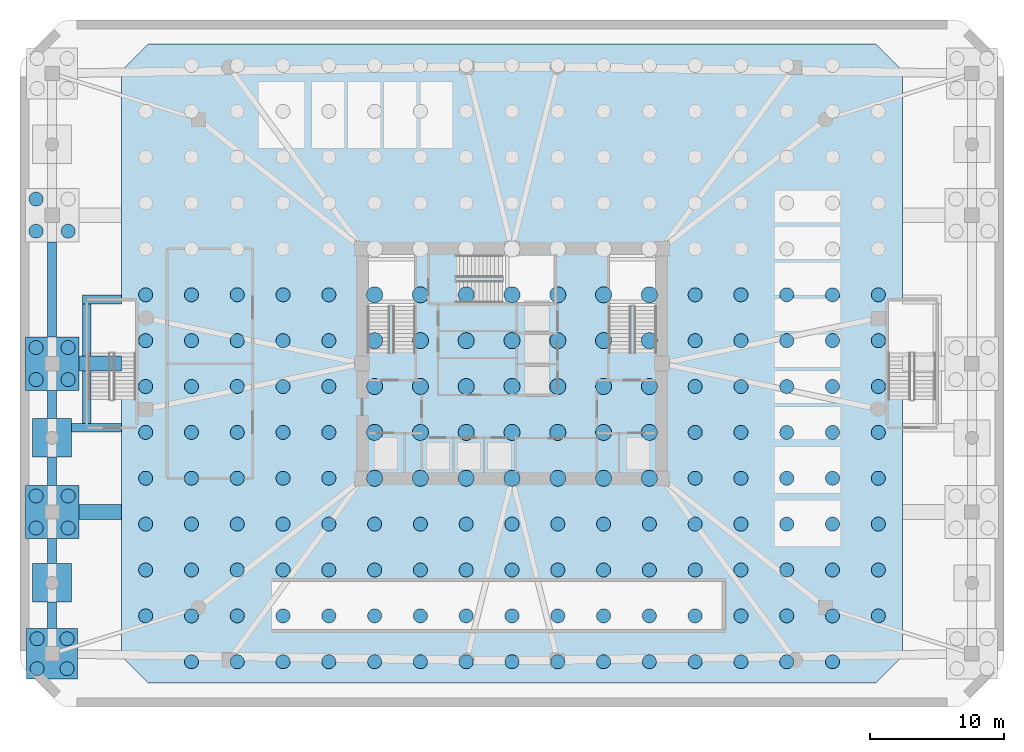
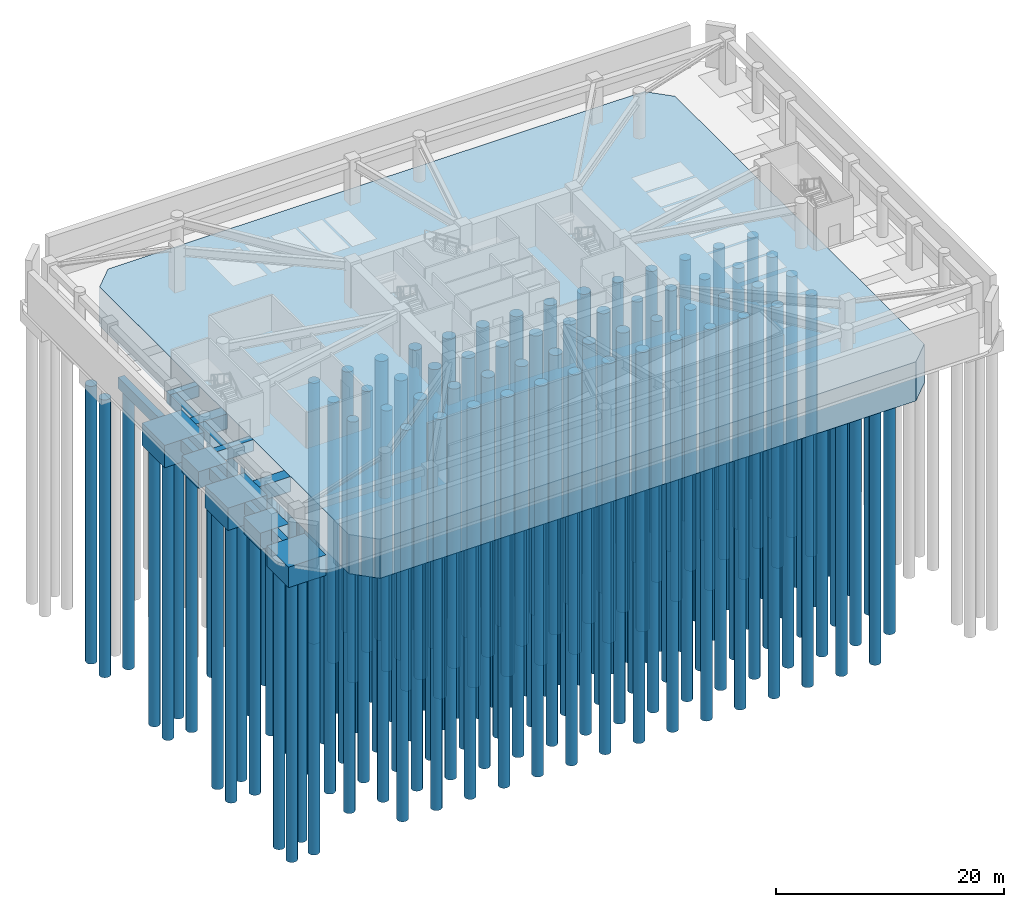
# One storey, part 1 of 11: 166 piles, 17 footings.
"""IFC4 building model written with IfcOpenShell, lengths in metres."""

from ifc_helpers import new_model, si_unit, derived_unit, direction, frame, origin, origin_2d, place, context, subcontext, project, spatial, polyline, rectangle, circle, outline, extrude, material, layer, layer_set, material_profile, profile_set, type_object, element, save


model = new_model("IFC4")

# Units and contexts
model_context = context("Model", 3, precision=1e-05, world=origin(), true_north=direction((0.0, 1.0)))
body_context = subcontext(model_context, "Body", "Model", "MODEL_VIEW")
ifc_project = project(units=[si_unit("LENGTHUNIT", "METRE"), si_unit("AREAUNIT", "SQUARE_METRE"), si_unit("VOLUMEUNIT", "CUBIC_METRE"), si_unit("PLANEANGLEUNIT", "RADIAN"), si_unit("MASSUNIT", "GRAM", prefix="KILO"), derived_unit("THERMALTRANSMITTANCEUNIT", [(si_unit("POWERUNIT", "WATT"), 1), (si_unit("LENGTHUNIT", "METRE"), -2), (si_unit("THERMODYNAMICTEMPERATUREUNIT", "KELVIN"), -1)])], contexts=[model_context])

# Site, building, storey
site_placement = place(None, origin())
site = spatial("IfcSite", under=ifc_project, at=site_placement, CompositionType="ELEMENT")
building_placement = place(site_placement, origin())
building = spatial("IfcBuilding", under=site, at=building_placement, Name="Koralith Skygarden Medical Center", CompositionType="ELEMENT")
storey_placement = place(building_placement, frame((0.0, 0.0, -9.719970703125)))
storey = spatial("IfcBuildingStorey", under=building, at=storey_placement, Name="B2", CompositionType="ELEMENT", Elevation=-9.719970703125)

# Footings
ifc_material_1 = material(Name="Concrete C55/67", Category="concrete")
ifc_material_profile_1 = material_profile(ifc_material_1, rectangle(XDim=0.64990234375, YDim=1.199951171875, at=origin_2d()), Name="SF650X1200")
ifc_profile_set_1 = profile_set([ifc_material_profile_1], Name="Concrete C55/67")
footing_type_1 = type_object("IfcFootingType", Name="Perimeter Strip Footing 650x1200", PredefinedType="STRIP_FOOTING", material=ifc_profile_set_1)
footing_1_placement = place(storey_placement, frame((2.60009765625, 6.10009765625, -0.60009765625), z_axis=(0.0, 1.0, 0.0), x_axis=(-1.0, 0.0, 0.0)))
element("IfcFooting", 1, at=footing_1_placement, inside=storey, type_object=footing_type_1, Name="Perimeter Foundation Strip SF-1-01", PredefinedType="STRIP_FOOTING", context=body_context, shape_type="SweptSolid", body=[
    extrude(rectangle(XDim=0.64990234375, YDim=1.199951171875, at=origin_2d()), origin(), (0.0, 0.0, 1.0), 1.949951171875),
])
footing_2_placement = place(storey_placement, frame((2.60009765625, 10.949951171875, -0.60009765625), z_axis=(0.0, 1.0, 0.0), x_axis=(-1.0, 0.0, 0.0)))
element("IfcFooting", 2, at=footing_2_placement, inside=storey, type_object=footing_type_1, Name="Perimeter Foundation Strip SF-1-02", PredefinedType="STRIP_FOOTING", context=body_context, shape_type="SweptSolid", body=[
    extrude(rectangle(XDim=0.64990234375, YDim=1.199951171875, at=origin_2d()), origin(), (0.0, 0.0, 1.0), 1.85009765625),
])
for number, where, z_axis, x_axis, name in (
    (3, (2.60009765625, 16.800048828125, -0.60009765625), (0.0, 1.0, 0.0), (-1.0, 0.0, 0.0), "Perimeter Foundation Strip SF-1-03"),
    (4, (2.60009765625, 21.800048828125, -0.60009765625), (0.0, 1.0, 0.0), (-1.0, 0.0, 0.0), "Perimeter Foundation Strip SF-1-04"),
):
    element("IfcFooting", number, at=place(storey_placement, frame(where, z_axis=z_axis, x_axis=x_axis)), inside=storey, type_object=footing_type_1, Name=name, PredefinedType="STRIP_FOOTING", context=body_context, shape_type="SweptSolid", body=[
        extrude(rectangle(XDim=0.64990234375, YDim=1.199951171875, at=origin_2d()), origin(), (0.0, 0.0, 1.0), 2.099853515625),
    ])
footing_3_placement = place(storey_placement, frame((2.60009765625, 27.89990234375, -0.60009765625), z_axis=(0.0, 1.0, 0.0), x_axis=(-1.0, 0.0, 0.0)))
element("IfcFooting", 5, at=footing_3_placement, inside=storey, type_object=footing_type_1, Name="Perimeter Foundation Strip SF-1-05", PredefinedType="STRIP_FOOTING", context=body_context, shape_type="SweptSolid", body=[
    extrude(rectangle(XDim=0.64990234375, YDim=1.199951171875, at=origin_2d()), origin(), (0.0, 0.0, 1.0), 7.10009765625),
])
footing_4_placement = place(storey_placement, frame((4.050048828125, 21.10009765625, -0.60009765625), z_axis=(1.0, 0.0, 0.0), x_axis=(0.0, 1.0, 0.0)))
element("IfcFooting", 6, at=footing_4_placement, inside=storey, type_object=footing_type_1, Name="Stair ST4 Foundation Strip S", PredefinedType="STRIP_FOOTING", context=body_context, shape_type="SweptSolid", body=[
    extrude(rectangle(XDim=0.64990234375, YDim=1.199951171875, at=origin_2d()), origin(), (0.0, 0.0, 1.0), 3.75),
])
footing_5_placement = place(storey_placement, frame((4.875, 30.699951171875, -0.60009765625), z_axis=(1.0, 0.0, 0.0), x_axis=(0.0, 1.0, 0.0)))
element("IfcFooting", 7, at=footing_5_placement, inside=storey, type_object=footing_type_1, Name="Stair ST4 Foundation Strip N", PredefinedType="STRIP_FOOTING", context=body_context, shape_type="SweptSolid", body=[
    extrude(rectangle(XDim=0.64990234375, YDim=1.199951171875, at=origin_2d()), origin(), (0.0, 0.0, 1.0), 2.925048828125),
])
for number, where, z_axis, x_axis, name in (
    (8, (5.199951171875, 21.425048828125, -0.60009765625), (0.0, 1.0, 0.0), (-1.0, 0.0, 0.0), "Stair ST4 Foundation Strip WS"),
    (9, (5.199951171875, 26.449951171875, -0.60009765625), (0.0, 1.0, 0.0), (-1.0, 0.0, 0.0), "Stair ST4 Foundation Strip WN"),
):
    element("IfcFooting", number, at=place(storey_placement, frame(where, z_axis=z_axis, x_axis=x_axis)), inside=storey, type_object=footing_type_1, Name=name, PredefinedType="STRIP_FOOTING", context=body_context, shape_type="SweptSolid", body=[
        extrude(rectangle(XDim=0.64990234375, YDim=1.199951171875, at=origin_2d()), origin(), (0.0, 0.0, 1.0), 3.925048828125),
    ])
ifc_layer_1 = layer(ifc_material_1, 2.199951171875)
ifc_layer_set_1 = layer_set([ifc_layer_1], Name="Concrete C55/67")
footing_type_2 = type_object("IfcFootingType", Name="Podium Corner Pile Cap 2200", PredefinedType="PILE_CAP", material=ifc_layer_set_1)
footing_6_placement = place(storey_placement, frame((0.0, 0.0, -2.199951171875)))
element("IfcFooting", 10, at=footing_6_placement, inside=storey, type_object=footing_type_2, Name="Podium Pile Cap PC-01", PredefinedType="PILE_CAP", context=body_context, shape_type="SweptSolid", body=[
    extrude(outline(polyline([(0.699951171875, 2.300048828125), (4.5, 2.300048828125), (4.5, 6.10009765625), (0.699951171875, 6.10009765625), (0.699951171875, 2.300048828125)])), origin(), (0.0, 0.0, 1.0), 2.199951171875),
])
ifc_layer_2 = layer(ifc_material_1, 2.39990234375)
ifc_layer_set_2 = layer_set([ifc_layer_2], Name="Concrete C55/67")
footing_type_3 = type_object("IfcFootingType", Name="Podium Pile Cap 2400", PredefinedType="PILE_CAP", material=ifc_layer_set_2)
footing_7_placement = place(storey_placement, frame((0.0, 0.0, -2.400146484375)))
element("IfcFooting", 11, at=footing_7_placement, inside=storey, type_object=footing_type_3, Name="Podium Pile Cap PC-02", PredefinedType="PILE_CAP", context=body_context, shape_type="SweptSolid", body=[
    extrude(outline(polyline([(0.60009765625, 12.800048828125), (4.60009765625, 12.800048828125), (4.60009765625, 16.800048828125), (0.60009765625, 16.800048828125), (0.60009765625, 12.800048828125)])), origin(), (0.0, 0.0, 1.0), 2.400146484375),
])
footing_8_placement = place(storey_placement, frame((0.0, 0.0, -2.400146484375)))
element("IfcFooting", 12, at=footing_8_placement, inside=storey, type_object=footing_type_3, Name="Podium Pile Cap PC-03", PredefinedType="PILE_CAP", context=body_context, shape_type="SweptSolid", body=[
    extrude(outline(polyline([(0.60009765625, 23.89990234375), (4.60009765625, 23.89990234375), (4.60009765625, 27.89990234375), (0.60009765625, 27.89990234375), (0.60009765625, 23.89990234375)])), origin(), (0.0, 0.0, 1.0), 2.400146484375),
])
ifc_material_profile_2 = material_profile(ifc_material_1, rectangle(XDim=1.10009765625, YDim=1.60009765625, at=origin_2d()), Name="RCB1100X1600")
ifc_profile_set_2 = profile_set([ifc_material_profile_2], Name="Concrete C55/67")
footing_type_4 = type_object("IfcFootingType", Name="Primary Foundation Grade Beam 1200x1600", PredefinedType="FOOTING_BEAM", material=ifc_profile_set_2)
for number, where, z_axis, x_axis, name in (
    (13, (4.60009765625, 14.800048828125, -0.800048828125), (1.0, 0.0, 0.0), (0.0, 1.0, 0.0), "Foundation Tie Grade Beam GB-02"),
    (14, (4.60009765625, 25.89990234375, -0.800048828125), (1.0, 0.0, 0.0), (0.0, 1.0, 0.0), "Foundation Tie Grade Beam GB-03"),
):
    element("IfcFooting", number, at=place(storey_placement, frame(where, z_axis=z_axis, x_axis=x_axis)), inside=storey, type_object=footing_type_4, Name=name, PredefinedType="FOOTING_BEAM", context=body_context, shape_type="SweptSolid", body=[
        extrude(rectangle(XDim=1.10009765625, YDim=1.60009765625, at=origin_2d()), origin(), (0.0, 0.0, 1.0), 3.199951171875),
    ])

# Piles
ifc_material_2 = material(Name="Concrete C45/55", Category="concrete")
ifc_material_profile_3 = material_profile(ifc_material_2, circle(Radius=0.52490234375, at=origin_2d()), Name="PILE1050")
ifc_profile_set_3 = profile_set([ifc_material_profile_3], Name="Concrete C45/55")
pile_type_1 = type_object("IfcPileType", Name="Rock-Socketed Bored Pile 1050", PredefinedType="BORED", material=ifc_profile_set_3)
for number, where, z_axis, x_axis, name in (
    (15, (1.47998046875, 3.080078125, -2.050048828125), (0.0, 0.0, -1.0), (1.0, 0.0, 0.0), "Bored Pile P1-PC01-1"),
    (16, (1.47998046875, 5.320068359375, -2.050048828125), (0.0, 0.0, -1.0), (1.0, 0.0, 0.0), "Bored Pile P1-PC01-2"),
    (17, (3.719970703125, 3.080078125, -2.050048828125), (0.0, 0.0, -1.0), (1.0, 0.0, 0.0), "Bored Pile P1-PC01-3"),
    (18, (3.719970703125, 5.320068359375, -2.050048828125), (0.0, 0.0, -1.0), (1.0, 0.0, 0.0), "Bored Pile P1-PC01-4"),
):
    element("IfcPile", number, at=place(storey_placement, frame(where, z_axis=z_axis, x_axis=x_axis)), inside=storey, type_object=pile_type_1, Name=name, PredefinedType="BORED", context=body_context, shape_type="SweptSolid", body=[
        extrude(circle(Radius=0.52490234375, at=origin_2d()), origin(), (0.0, 0.0, 1.0), 30.0),
    ])
for number, where, z_axis, x_axis, name in (
    (19, (1.39990234375, 13.60009765625, -2.25), (0.0, 0.0, -1.0), (1.0, 0.0, 0.0), "Bored Pile P1-PC02-1"),
    (20, (1.39990234375, 16.0, -2.25), (0.0, 0.0, -1.0), (1.0, 0.0, 0.0), "Bored Pile P1-PC02-2"),
    (21, (3.800048828125, 13.60009765625, -2.25), (0.0, 0.0, -1.0), (1.0, 0.0, 0.0), "Bored Pile P1-PC02-3"),
    (22, (3.800048828125, 16.0, -2.25), (0.0, 0.0, -1.0), (1.0, 0.0, 0.0), "Bored Pile P1-PC02-4"),
    (23, (1.39990234375, 24.699951171875, -2.25), (0.0, 0.0, -1.0), (1.0, 0.0, 0.0), "Bored Pile P1-PC03-1"),
    (24, (1.39990234375, 27.10009765625, -2.25), (0.0, 0.0, -1.0), (1.0, 0.0, 0.0), "Bored Pile P1-PC03-2"),
    (25, (3.800048828125, 24.699951171875, -2.25), (0.0, 0.0, -1.0), (1.0, 0.0, 0.0), "Bored Pile P1-PC03-3"),
    (26, (3.800048828125, 27.10009765625, -2.25), (0.0, 0.0, -1.0), (1.0, 0.0, 0.0), "Bored Pile P1-PC03-4"),
    (27, (1.39990234375, 35.800048828125, -2.25), (0.0, 0.0, -1.0), (1.0, 0.0, 0.0), "Bored Pile P1-PC04-1"),
    (28, (1.39990234375, 38.199951171875, -2.25), (0.0, 0.0, -1.0), (1.0, 0.0, 0.0), "Bored Pile P1-PC04-2"),
    (29, (3.800048828125, 35.800048828125, -2.25), (0.0, 0.0, -1.0), (1.0, 0.0, 0.0), "Bored Pile P1-PC04-3"),
):
    element("IfcPile", number, at=place(storey_placement, frame(where, z_axis=z_axis, x_axis=x_axis)), inside=storey, type_object=pile_type_1, Name=name, PredefinedType="BORED", context=body_context, shape_type="SweptSolid", body=[
        extrude(circle(Radius=0.52490234375, at=origin_2d()), origin(), (0.0, 0.0, 1.0), 29.800048828125),
    ])
for number, where, z_axis, x_axis, name in (
    (30, (9.60009765625, 7.031005859375, -4.050048828125), (0.0, 0.0, -1.0), (1.0, 0.0, 0.0), "Mat Bored Pile P1-001"),
    (31, (9.60009765625, 10.4619140625, -4.050048828125), (0.0, 0.0, -1.0), (1.0, 0.0, 0.0), "Mat Bored Pile P1-002"),
    (32, (9.60009765625, 13.89208984375, -4.050048828125), (0.0, 0.0, -1.0), (1.0, 0.0, 0.0), "Mat Bored Pile P1-003"),
    (33, (9.60009765625, 17.322998046875, -4.050048828125), (0.0, 0.0, -1.0), (1.0, 0.0, 0.0), "Mat Bored Pile P1-004"),
    (34, (9.60009765625, 20.75390625, -4.050048828125), (0.0, 0.0, -1.0), (1.0, 0.0, 0.0), "Mat Bored Pile P1-005"),
    (35, (9.60009765625, 24.18505859375, -4.050048828125), (0.0, 0.0, -1.0), (1.0, 0.0, 0.0), "Mat Bored Pile P1-006"),
    (36, (9.60009765625, 27.614990234375, -4.050048828125), (0.0, 0.0, -1.0), (1.0, 0.0, 0.0), "Mat Bored Pile P1-007"),
    (37, (9.60009765625, 31.0458984375, -4.050048828125), (0.0, 0.0, -1.0), (1.0, 0.0, 0.0), "Mat Bored Pile P1-008"),
    (38, (13.02490234375, 3.60009765625, -4.050048828125), (0.0, 0.0, -1.0), (1.0, 0.0, 0.0), "Mat Bored Pile P1-013"),
    (39, (13.02490234375, 7.031005859375, -4.050048828125), (0.0, 0.0, -1.0), (1.0, 0.0, 0.0), "Mat Bored Pile P1-014"),
    (40, (13.02490234375, 10.4619140625, -4.050048828125), (0.0, 0.0, -1.0), (1.0, 0.0, 0.0), "Mat Bored Pile P1-015"),
    (41, (13.02490234375, 13.89208984375, -4.050048828125), (0.0, 0.0, -1.0), (1.0, 0.0, 0.0), "Mat Bored Pile P1-016"),
    (42, (13.02490234375, 17.322998046875, -4.050048828125), (0.0, 0.0, -1.0), (1.0, 0.0, 0.0), "Mat Bored Pile P1-017"),
    (43, (13.02490234375, 20.75390625, -4.050048828125), (0.0, 0.0, -1.0), (1.0, 0.0, 0.0), "Mat Bored Pile P1-018"),
    (44, (13.02490234375, 24.18505859375, -4.050048828125), (0.0, 0.0, -1.0), (1.0, 0.0, 0.0), "Mat Bored Pile P1-019"),
    (45, (13.02490234375, 27.614990234375, -4.050048828125), (0.0, 0.0, -1.0), (1.0, 0.0, 0.0), "Mat Bored Pile P1-020"),
    (46, (13.02490234375, 31.0458984375, -4.050048828125), (0.0, 0.0, -1.0), (1.0, 0.0, 0.0), "Mat Bored Pile P1-021"),
    (47, (16.449951171875, 3.60009765625, -4.050048828125), (0.0, 0.0, -1.0), (1.0, 0.0, 0.0), "Mat Bored Pile P1-027"),
    (48, (16.449951171875, 7.031005859375, -4.050048828125), (0.0, 0.0, -1.0), (1.0, 0.0, 0.0), "Mat Bored Pile P1-028"),
    (49, (16.449951171875, 10.4619140625, -4.050048828125), (0.0, 0.0, -1.0), (1.0, 0.0, 0.0), "Mat Bored Pile P1-029"),
    (50, (16.449951171875, 13.89208984375, -4.050048828125), (0.0, 0.0, -1.0), (1.0, 0.0, 0.0), "Mat Bored Pile P1-030"),
    (51, (16.449951171875, 17.322998046875, -4.050048828125), (0.0, 0.0, -1.0), (1.0, 0.0, 0.0), "Mat Bored Pile P1-031"),
    (52, (16.449951171875, 20.75390625, -4.050048828125), (0.0, 0.0, -1.0), (1.0, 0.0, 0.0), "Mat Bored Pile P1-032"),
    (53, (16.449951171875, 24.18505859375, -4.050048828125), (0.0, 0.0, -1.0), (1.0, 0.0, 0.0), "Mat Bored Pile P1-033"),
    (54, (16.449951171875, 27.614990234375, -4.050048828125), (0.0, 0.0, -1.0), (1.0, 0.0, 0.0), "Mat Bored Pile P1-034"),
    (55, (16.449951171875, 31.0458984375, -4.050048828125), (0.0, 0.0, -1.0), (1.0, 0.0, 0.0), "Mat Bored Pile P1-035"),
    (56, (19.875, 3.60009765625, -4.050048828125), (0.0, 0.0, -1.0), (1.0, 0.0, 0.0), "Mat Bored Pile P1-041"),
    (57, (19.875, 7.031005859375, -4.050048828125), (0.0, 0.0, -1.0), (1.0, 0.0, 0.0), "Mat Bored Pile P1-042"),
    (58, (19.875, 10.4619140625, -4.050048828125), (0.0, 0.0, -1.0), (1.0, 0.0, 0.0), "Mat Bored Pile P1-043"),
    (59, (19.875, 13.89208984375, -4.050048828125), (0.0, 0.0, -1.0), (1.0, 0.0, 0.0), "Mat Bored Pile P1-044"),
    (60, (19.875, 17.322998046875, -4.050048828125), (0.0, 0.0, -1.0), (1.0, 0.0, 0.0), "Mat Bored Pile P1-045"),
    (61, (19.875, 20.75390625, -4.050048828125), (0.0, 0.0, -1.0), (1.0, 0.0, 0.0), "Mat Bored Pile P1-046"),
    (62, (19.875, 24.18505859375, -4.050048828125), (0.0, 0.0, -1.0), (1.0, 0.0, 0.0), "Mat Bored Pile P1-047"),
    (63, (19.875, 27.614990234375, -4.050048828125), (0.0, 0.0, -1.0), (1.0, 0.0, 0.0), "Mat Bored Pile P1-048"),
    (64, (19.875, 31.0458984375, -4.050048828125), (0.0, 0.0, -1.0), (1.0, 0.0, 0.0), "Mat Bored Pile P1-049"),
    (65, (23.300048828125, 3.60009765625, -4.050048828125), (0.0, 0.0, -1.0), (1.0, 0.0, 0.0), "Mat Bored Pile P1-055"),
    (66, (23.300048828125, 7.031005859375, -4.050048828125), (0.0, 0.0, -1.0), (1.0, 0.0, 0.0), "Mat Bored Pile P1-056"),
    (67, (23.300048828125, 10.4619140625, -4.050048828125), (0.0, 0.0, -1.0), (1.0, 0.0, 0.0), "Mat Bored Pile P1-057"),
    (68, (23.300048828125, 13.89208984375, -4.050048828125), (0.0, 0.0, -1.0), (1.0, 0.0, 0.0), "Mat Bored Pile P1-058"),
    (69, (23.300048828125, 17.322998046875, -4.050048828125), (0.0, 0.0, -1.0), (1.0, 0.0, 0.0), "Mat Bored Pile P1-059"),
    (70, (23.300048828125, 20.75390625, -4.050048828125), (0.0, 0.0, -1.0), (1.0, 0.0, 0.0), "Mat Bored Pile P1-060"),
    (71, (23.300048828125, 24.18505859375, -4.050048828125), (0.0, 0.0, -1.0), (1.0, 0.0, 0.0), "Mat Bored Pile P1-061"),
    (72, (23.300048828125, 27.614990234375, -4.050048828125), (0.0, 0.0, -1.0), (1.0, 0.0, 0.0), "Mat Bored Pile P1-062"),
    (73, (23.300048828125, 31.0458984375, -4.050048828125), (0.0, 0.0, -1.0), (1.0, 0.0, 0.0), "Mat Bored Pile P1-063"),
    (74, (26.72509765625, 3.60009765625, -4.050048828125), (0.0, 0.0, -1.0), (1.0, 0.0, 0.0), "Mat Bored Pile P1-069"),
    (75, (26.72509765625, 7.031005859375, -4.050048828125), (0.0, 0.0, -1.0), (1.0, 0.0, 0.0), "Mat Bored Pile P1-070"),
    (76, (26.72509765625, 10.4619140625, -4.050048828125), (0.0, 0.0, -1.0), (1.0, 0.0, 0.0), "Mat Bored Pile P1-071"),
    (77, (26.72509765625, 13.89208984375, -4.050048828125), (0.0, 0.0, -1.0), (1.0, 0.0, 0.0), "Mat Bored Pile P1-072"),
    (78, (30.14990234375, 3.60009765625, -4.050048828125), (0.0, 0.0, -1.0), (1.0, 0.0, 0.0), "Mat Bored Pile P1-083"),
    (79, (30.14990234375, 7.031005859375, -4.050048828125), (0.0, 0.0, -1.0), (1.0, 0.0, 0.0), "Mat Bored Pile P1-084"),
    (80, (30.14990234375, 10.4619140625, -4.050048828125), (0.0, 0.0, -1.0), (1.0, 0.0, 0.0), "Mat Bored Pile P1-085"),
    (81, (30.14990234375, 13.89208984375, -4.050048828125), (0.0, 0.0, -1.0), (1.0, 0.0, 0.0), "Mat Bored Pile P1-086"),
    (82, (33.574951171875, 3.60009765625, -4.050048828125), (0.0, 0.0, -1.0), (1.0, 0.0, 0.0), "Mat Bored Pile P1-097"),
    (83, (33.574951171875, 7.031005859375, -4.050048828125), (0.0, 0.0, -1.0), (1.0, 0.0, 0.0), "Mat Bored Pile P1-098"),
    (84, (33.574951171875, 10.4619140625, -4.050048828125), (0.0, 0.0, -1.0), (1.0, 0.0, 0.0), "Mat Bored Pile P1-099"),
    (85, (33.574951171875, 13.89208984375, -4.050048828125), (0.0, 0.0, -1.0), (1.0, 0.0, 0.0), "Mat Bored Pile P1-100"),
    (86, (37.0, 3.60009765625, -4.050048828125), (0.0, 0.0, -1.0), (1.0, 0.0, 0.0), "Mat Bored Pile P1-111"),
    (87, (37.0, 7.031005859375, -4.050048828125), (0.0, 0.0, -1.0), (1.0, 0.0, 0.0), "Mat Bored Pile P1-112"),
    (88, (37.0, 10.4619140625, -4.050048828125), (0.0, 0.0, -1.0), (1.0, 0.0, 0.0), "Mat Bored Pile P1-113"),
    (89, (37.0, 13.89208984375, -4.050048828125), (0.0, 0.0, -1.0), (1.0, 0.0, 0.0), "Mat Bored Pile P1-114"),
    (90, (40.425048828125, 3.60009765625, -4.050048828125), (0.0, 0.0, -1.0), (1.0, 0.0, 0.0), "Mat Bored Pile P1-125"),
    (91, (40.425048828125, 7.031005859375, -4.050048828125), (0.0, 0.0, -1.0), (1.0, 0.0, 0.0), "Mat Bored Pile P1-126"),
    (92, (40.425048828125, 10.4619140625, -4.050048828125), (0.0, 0.0, -1.0), (1.0, 0.0, 0.0), "Mat Bored Pile P1-127"),
    (93, (40.425048828125, 13.89208984375, -4.050048828125), (0.0, 0.0, -1.0), (1.0, 0.0, 0.0), "Mat Bored Pile P1-128"),
    (94, (43.85009765625, 3.60009765625, -4.050048828125), (0.0, 0.0, -1.0), (1.0, 0.0, 0.0), "Mat Bored Pile P1-139"),
    (95, (43.85009765625, 7.031005859375, -4.050048828125), (0.0, 0.0, -1.0), (1.0, 0.0, 0.0), "Mat Bored Pile P1-140"),
    (96, (43.85009765625, 10.4619140625, -4.050048828125), (0.0, 0.0, -1.0), (1.0, 0.0, 0.0), "Mat Bored Pile P1-141"),
    (97, (43.85009765625, 13.89208984375, -4.050048828125), (0.0, 0.0, -1.0), (1.0, 0.0, 0.0), "Mat Bored Pile P1-142"),
    (98, (47.27490234375, 3.60009765625, -4.050048828125), (0.0, 0.0, -1.0), (1.0, 0.0, 0.0), "Mat Bored Pile P1-153"),
    (99, (47.27490234375, 7.031005859375, -4.050048828125), (0.0, 0.0, -1.0), (1.0, 0.0, 0.0), "Mat Bored Pile P1-154"),
    (100, (47.27490234375, 10.4619140625, -4.050048828125), (0.0, 0.0, -1.0), (1.0, 0.0, 0.0), "Mat Bored Pile P1-155"),
    (101, (47.27490234375, 13.89208984375, -4.050048828125), (0.0, 0.0, -1.0), (1.0, 0.0, 0.0), "Mat Bored Pile P1-156"),
    (102, (50.699951171875, 3.60009765625, -4.050048828125), (0.0, 0.0, -1.0), (1.0, 0.0, 0.0), "Mat Bored Pile P1-167"),
    (103, (50.699951171875, 7.031005859375, -4.050048828125), (0.0, 0.0, -1.0), (1.0, 0.0, 0.0), "Mat Bored Pile P1-168"),
    (104, (50.699951171875, 10.4619140625, -4.050048828125), (0.0, 0.0, -1.0), (1.0, 0.0, 0.0), "Mat Bored Pile P1-169"),
    (105, (50.699951171875, 13.89208984375, -4.050048828125), (0.0, 0.0, -1.0), (1.0, 0.0, 0.0), "Mat Bored Pile P1-170"),
    (106, (50.699951171875, 17.322998046875, -4.050048828125), (0.0, 0.0, -1.0), (1.0, 0.0, 0.0), "Mat Bored Pile P1-171"),
    (107, (50.699951171875, 20.75390625, -4.050048828125), (0.0, 0.0, -1.0), (1.0, 0.0, 0.0), "Mat Bored Pile P1-172"),
    (108, (50.699951171875, 24.18505859375, -4.050048828125), (0.0, 0.0, -1.0), (1.0, 0.0, 0.0), "Mat Bored Pile P1-173"),
    (109, (50.699951171875, 27.614990234375, -4.050048828125), (0.0, 0.0, -1.0), (1.0, 0.0, 0.0), "Mat Bored Pile P1-174"),
    (110, (50.699951171875, 31.0458984375, -4.050048828125), (0.0, 0.0, -1.0), (1.0, 0.0, 0.0), "Mat Bored Pile P1-175"),
    (111, (54.125, 3.60009765625, -4.050048828125), (0.0, 0.0, -1.0), (1.0, 0.0, 0.0), "Mat Bored Pile P1-181"),
    (112, (54.125, 7.031005859375, -4.050048828125), (0.0, 0.0, -1.0), (1.0, 0.0, 0.0), "Mat Bored Pile P1-182"),
    (113, (54.125, 10.4619140625, -4.050048828125), (0.0, 0.0, -1.0), (1.0, 0.0, 0.0), "Mat Bored Pile P1-183"),
    (114, (54.125, 13.89208984375, -4.050048828125), (0.0, 0.0, -1.0), (1.0, 0.0, 0.0), "Mat Bored Pile P1-184"),
    (115, (54.125, 17.322998046875, -4.050048828125), (0.0, 0.0, -1.0), (1.0, 0.0, 0.0), "Mat Bored Pile P1-185"),
    (116, (54.125, 20.75390625, -4.050048828125), (0.0, 0.0, -1.0), (1.0, 0.0, 0.0), "Mat Bored Pile P1-186"),
    (117, (54.125, 24.18505859375, -4.050048828125), (0.0, 0.0, -1.0), (1.0, 0.0, 0.0), "Mat Bored Pile P1-187"),
    (118, (54.125, 27.614990234375, -4.050048828125), (0.0, 0.0, -1.0), (1.0, 0.0, 0.0), "Mat Bored Pile P1-188"),
    (119, (54.125, 31.0458984375, -4.050048828125), (0.0, 0.0, -1.0), (1.0, 0.0, 0.0), "Mat Bored Pile P1-189"),
    (120, (57.550048828125, 3.60009765625, -4.050048828125), (0.0, 0.0, -1.0), (1.0, 0.0, 0.0), "Mat Bored Pile P1-195"),
    (121, (57.550048828125, 7.031005859375, -4.050048828125), (0.0, 0.0, -1.0), (1.0, 0.0, 0.0), "Mat Bored Pile P1-196"),
    (122, (57.550048828125, 10.4619140625, -4.050048828125), (0.0, 0.0, -1.0), (1.0, 0.0, 0.0), "Mat Bored Pile P1-197"),
    (123, (57.550048828125, 13.89208984375, -4.050048828125), (0.0, 0.0, -1.0), (1.0, 0.0, 0.0), "Mat Bored Pile P1-198"),
    (124, (57.550048828125, 17.322998046875, -4.050048828125), (0.0, 0.0, -1.0), (1.0, 0.0, 0.0), "Mat Bored Pile P1-199"),
    (125, (57.550048828125, 20.75390625, -4.050048828125), (0.0, 0.0, -1.0), (1.0, 0.0, 0.0), "Mat Bored Pile P1-200"),
    (126, (57.550048828125, 24.18505859375, -4.050048828125), (0.0, 0.0, -1.0), (1.0, 0.0, 0.0), "Mat Bored Pile P1-201"),
    (127, (57.550048828125, 27.614990234375, -4.050048828125), (0.0, 0.0, -1.0), (1.0, 0.0, 0.0), "Mat Bored Pile P1-202"),
    (128, (57.550048828125, 31.0458984375, -4.050048828125), (0.0, 0.0, -1.0), (1.0, 0.0, 0.0), "Mat Bored Pile P1-203"),
    (129, (60.97509765625, 3.60009765625, -4.050048828125), (0.0, 0.0, -1.0), (1.0, 0.0, 0.0), "Mat Bored Pile P1-209"),
    (130, (60.97509765625, 7.031005859375, -4.050048828125), (0.0, 0.0, -1.0), (1.0, 0.0, 0.0), "Mat Bored Pile P1-210"),
    (131, (60.97509765625, 10.4619140625, -4.050048828125), (0.0, 0.0, -1.0), (1.0, 0.0, 0.0), "Mat Bored Pile P1-211"),
    (132, (60.97509765625, 13.89208984375, -4.050048828125), (0.0, 0.0, -1.0), (1.0, 0.0, 0.0), "Mat Bored Pile P1-212"),
    (133, (60.97509765625, 17.322998046875, -4.050048828125), (0.0, 0.0, -1.0), (1.0, 0.0, 0.0), "Mat Bored Pile P1-213"),
    (134, (60.97509765625, 20.75390625, -4.050048828125), (0.0, 0.0, -1.0), (1.0, 0.0, 0.0), "Mat Bored Pile P1-214"),
    (135, (60.97509765625, 24.18505859375, -4.050048828125), (0.0, 0.0, -1.0), (1.0, 0.0, 0.0), "Mat Bored Pile P1-215"),
    (136, (60.97509765625, 27.614990234375, -4.050048828125), (0.0, 0.0, -1.0), (1.0, 0.0, 0.0), "Mat Bored Pile P1-216"),
    (137, (60.97509765625, 31.0458984375, -4.050048828125), (0.0, 0.0, -1.0), (1.0, 0.0, 0.0), "Mat Bored Pile P1-217"),
    (138, (64.39990234375, 7.031005859375, -4.050048828125), (0.0, 0.0, -1.0), (1.0, 0.0, 0.0), "Mat Bored Pile P1-223"),
    (139, (64.39990234375, 10.4619140625, -4.050048828125), (0.0, 0.0, -1.0), (1.0, 0.0, 0.0), "Mat Bored Pile P1-224"),
    (140, (64.39990234375, 13.89208984375, -4.050048828125), (0.0, 0.0, -1.0), (1.0, 0.0, 0.0), "Mat Bored Pile P1-225"),
    (141, (64.39990234375, 17.322998046875, -4.050048828125), (0.0, 0.0, -1.0), (1.0, 0.0, 0.0), "Mat Bored Pile P1-226"),
    (142, (64.39990234375, 20.75390625, -4.050048828125), (0.0, 0.0, -1.0), (1.0, 0.0, 0.0), "Mat Bored Pile P1-227"),
    (143, (64.39990234375, 24.18505859375, -4.050048828125), (0.0, 0.0, -1.0), (1.0, 0.0, 0.0), "Mat Bored Pile P1-228"),
    (144, (64.39990234375, 27.614990234375, -4.050048828125), (0.0, 0.0, -1.0), (1.0, 0.0, 0.0), "Mat Bored Pile P1-229"),
    (145, (64.39990234375, 31.0458984375, -4.050048828125), (0.0, 0.0, -1.0), (1.0, 0.0, 0.0), "Mat Bored Pile P1-230"),
):
    element("IfcPile", number, at=place(storey_placement, frame(where, z_axis=z_axis, x_axis=x_axis)), inside=storey, type_object=pile_type_1, Name=name, PredefinedType="BORED", context=body_context, shape_type="SweptSolid", body=[
        extrude(circle(Radius=0.52490234375, at=origin_2d()), origin(), (0.0, 0.0, 1.0), 28.0),
    ])
ifc_material_profile_4 = material_profile(ifc_material_2, circle(Radius=0.60009765625, at=origin_2d()), Name="PILE1200")
ifc_profile_set_4 = profile_set([ifc_material_profile_4], Name="Concrete C45/55")
pile_type_2 = type_object("IfcPileType", Name="Rock-Socketed Core Bored Pile 1200", PredefinedType="BORED", material=ifc_profile_set_4)
for number, where, z_axis, x_axis, name in (
    (146, (26.72509765625, 17.322998046875, -4.050048828125), (0.0, 0.0, -1.0), (1.0, 0.0, 0.0), "Mat Bored Pile P2-073"),
    (147, (26.72509765625, 20.75390625, -4.050048828125), (0.0, 0.0, -1.0), (1.0, 0.0, 0.0), "Mat Bored Pile P2-074"),
    (148, (26.72509765625, 24.18505859375, -4.050048828125), (0.0, 0.0, -1.0), (1.0, 0.0, 0.0), "Mat Bored Pile P2-075"),
    (149, (26.72509765625, 27.614990234375, -4.050048828125), (0.0, 0.0, -1.0), (1.0, 0.0, 0.0), "Mat Bored Pile P2-076"),
    (150, (26.72509765625, 31.0458984375, -4.050048828125), (0.0, 0.0, -1.0), (1.0, 0.0, 0.0), "Mat Bored Pile P2-077"),
    (151, (30.14990234375, 17.322998046875, -4.050048828125), (0.0, 0.0, -1.0), (1.0, 0.0, 0.0), "Mat Bored Pile P2-087"),
    (152, (30.14990234375, 20.75390625, -4.050048828125), (0.0, 0.0, -1.0), (1.0, 0.0, 0.0), "Mat Bored Pile P2-088"),
    (153, (30.14990234375, 24.18505859375, -4.050048828125), (0.0, 0.0, -1.0), (1.0, 0.0, 0.0), "Mat Bored Pile P2-089"),
    (154, (30.14990234375, 27.614990234375, -4.050048828125), (0.0, 0.0, -1.0), (1.0, 0.0, 0.0), "Mat Bored Pile P2-090"),
    (155, (30.14990234375, 31.0458984375, -4.050048828125), (0.0, 0.0, -1.0), (1.0, 0.0, 0.0), "Mat Bored Pile P2-091"),
    (156, (33.574951171875, 17.322998046875, -4.050048828125), (0.0, 0.0, -1.0), (1.0, 0.0, 0.0), "Mat Bored Pile P2-101"),
    (157, (33.574951171875, 20.75390625, -4.050048828125), (0.0, 0.0, -1.0), (1.0, 0.0, 0.0), "Mat Bored Pile P2-102"),
    (158, (33.574951171875, 24.18505859375, -4.050048828125), (0.0, 0.0, -1.0), (1.0, 0.0, 0.0), "Mat Bored Pile P2-103"),
    (159, (33.574951171875, 27.614990234375, -4.050048828125), (0.0, 0.0, -1.0), (1.0, 0.0, 0.0), "Mat Bored Pile P2-104"),
    (160, (33.574951171875, 31.0458984375, -4.050048828125), (0.0, 0.0, -1.0), (1.0, 0.0, 0.0), "Mat Bored Pile P2-105"),
    (161, (37.0, 17.322998046875, -4.050048828125), (0.0, 0.0, -1.0), (1.0, 0.0, 0.0), "Mat Bored Pile P2-115"),
    (162, (37.0, 20.75390625, -4.050048828125), (0.0, 0.0, -1.0), (1.0, 0.0, 0.0), "Mat Bored Pile P2-116"),
    (163, (37.0, 24.18505859375, -4.050048828125), (0.0, 0.0, -1.0), (1.0, 0.0, 0.0), "Mat Bored Pile P2-117"),
    (164, (37.0, 27.614990234375, -4.050048828125), (0.0, 0.0, -1.0), (1.0, 0.0, 0.0), "Mat Bored Pile P2-118"),
    (165, (37.0, 31.0458984375, -4.050048828125), (0.0, 0.0, -1.0), (1.0, 0.0, 0.0), "Mat Bored Pile P2-119"),
    (166, (40.425048828125, 17.322998046875, -4.050048828125), (0.0, 0.0, -1.0), (1.0, 0.0, 0.0), "Mat Bored Pile P2-129"),
    (167, (40.425048828125, 20.75390625, -4.050048828125), (0.0, 0.0, -1.0), (1.0, 0.0, 0.0), "Mat Bored Pile P2-130"),
    (168, (40.425048828125, 24.18505859375, -4.050048828125), (0.0, 0.0, -1.0), (1.0, 0.0, 0.0), "Mat Bored Pile P2-131"),
    (169, (40.425048828125, 27.614990234375, -4.050048828125), (0.0, 0.0, -1.0), (1.0, 0.0, 0.0), "Mat Bored Pile P2-132"),
    (170, (40.425048828125, 31.0458984375, -4.050048828125), (0.0, 0.0, -1.0), (1.0, 0.0, 0.0), "Mat Bored Pile P2-133"),
    (171, (43.85009765625, 17.322998046875, -4.050048828125), (0.0, 0.0, -1.0), (1.0, 0.0, 0.0), "Mat Bored Pile P2-143"),
    (172, (43.85009765625, 20.75390625, -4.050048828125), (0.0, 0.0, -1.0), (1.0, 0.0, 0.0), "Mat Bored Pile P2-144"),
    (173, (43.85009765625, 24.18505859375, -4.050048828125), (0.0, 0.0, -1.0), (1.0, 0.0, 0.0), "Mat Bored Pile P2-145"),
    (174, (43.85009765625, 27.614990234375, -4.050048828125), (0.0, 0.0, -1.0), (1.0, 0.0, 0.0), "Mat Bored Pile P2-146"),
    (175, (43.85009765625, 31.0458984375, -4.050048828125), (0.0, 0.0, -1.0), (1.0, 0.0, 0.0), "Mat Bored Pile P2-147"),
    (176, (47.27490234375, 17.322998046875, -4.050048828125), (0.0, 0.0, -1.0), (1.0, 0.0, 0.0), "Mat Bored Pile P2-157"),
    (177, (47.27490234375, 20.75390625, -4.050048828125), (0.0, 0.0, -1.0), (1.0, 0.0, 0.0), "Mat Bored Pile P2-158"),
    (178, (47.27490234375, 24.18505859375, -4.050048828125), (0.0, 0.0, -1.0), (1.0, 0.0, 0.0), "Mat Bored Pile P2-159"),
    (179, (47.27490234375, 27.614990234375, -4.050048828125), (0.0, 0.0, -1.0), (1.0, 0.0, 0.0), "Mat Bored Pile P2-160"),
    (180, (47.27490234375, 31.0458984375, -4.050048828125), (0.0, 0.0, -1.0), (1.0, 0.0, 0.0), "Mat Bored Pile P2-161"),
):
    element("IfcPile", number, at=place(storey_placement, frame(where, z_axis=z_axis, x_axis=x_axis)), inside=storey, type_object=pile_type_2, Name=name, PredefinedType="BORED", context=body_context, shape_type="SweptSolid", body=[
        extrude(circle(Radius=0.60009765625, at=origin_2d()), origin(), (0.0, 0.0, 1.0), 30.0),
    ])

# Footings
ifc_layer_3 = layer(ifc_material_1, 1.800048828125)
ifc_layer_set_3 = layer_set([ifc_layer_3], Name="Concrete C55/67")
footing_type_5 = type_object("IfcFootingType", Name="Station Canopy Pad Footing 1800", PredefinedType="PAD_FOOTING", material=ifc_layer_set_3)
footing_9_placement = place(storey_placement, frame((0.0, 0.0, -1.800048828125)))
element("IfcFooting", 181, at=footing_9_placement, inside=storey, type_object=footing_type_5, Name="Concourse Pad Footing PF-01", PredefinedType="PAD_FOOTING", context=body_context, shape_type="SweptSolid", body=[
    extrude(outline(polyline([(1.14990234375, 8.050048828125), (4.050048828125, 8.050048828125), (4.050048828125, 10.949951171875), (1.14990234375, 10.949951171875), (1.14990234375, 8.050048828125)])), origin(), (0.0, 0.0, 1.0), 1.800048828125),
])
footing_10_placement = place(storey_placement, frame((0.0, 0.0, -1.800048828125)))
element("IfcFooting", 182, at=footing_10_placement, inside=storey, type_object=footing_type_5, Name="Concourse Pad Footing PF-02", PredefinedType="PAD_FOOTING", context=body_context, shape_type="SweptSolid", body=[
    extrude(outline(polyline([(1.14990234375, 18.89990234375), (4.050048828125, 18.89990234375), (4.050048828125, 21.800048828125), (1.14990234375, 21.800048828125), (1.14990234375, 18.89990234375)])), origin(), (0.0, 0.0, 1.0), 1.800048828125),
])
ifc_layer_4 = layer(ifc_material_1, 4.199951171875)
ifc_layer_set_4 = layer_set([ifc_layer_4], Name="Concrete C55/67")
footing_type_6 = type_object("IfcFootingType", Name="Tower Piled Mat Raft 4200", PredefinedType="PAD_FOOTING", material=ifc_layer_set_4)
footing_11_placement = place(storey_placement, frame((0.0, 0.0, -4.199951171875)))
element("IfcFooting", 183, at=footing_11_placement, inside=storey, type_object=footing_type_6, Name="Central Tower Piled Mat Foundation", PredefinedType="PAD_FOOTING", context=body_context, shape_type="SweptSolid", body=[
    extrude(outline(polyline([(9.800048828125, 2.0), (64.199951171875, 2.0), (66.199951171875, 4.0), (66.199951171875, 47.800048828125), (64.199951171875, 49.800048828125), (9.800048828125, 49.800048828125), (7.800048828125, 47.800048828125), (7.800048828125, 4.0), (9.800048828125, 2.0)])), origin(), (0.0, 0.0, 1.0), 4.199951171875),
])

save(model, "model.ifc")
